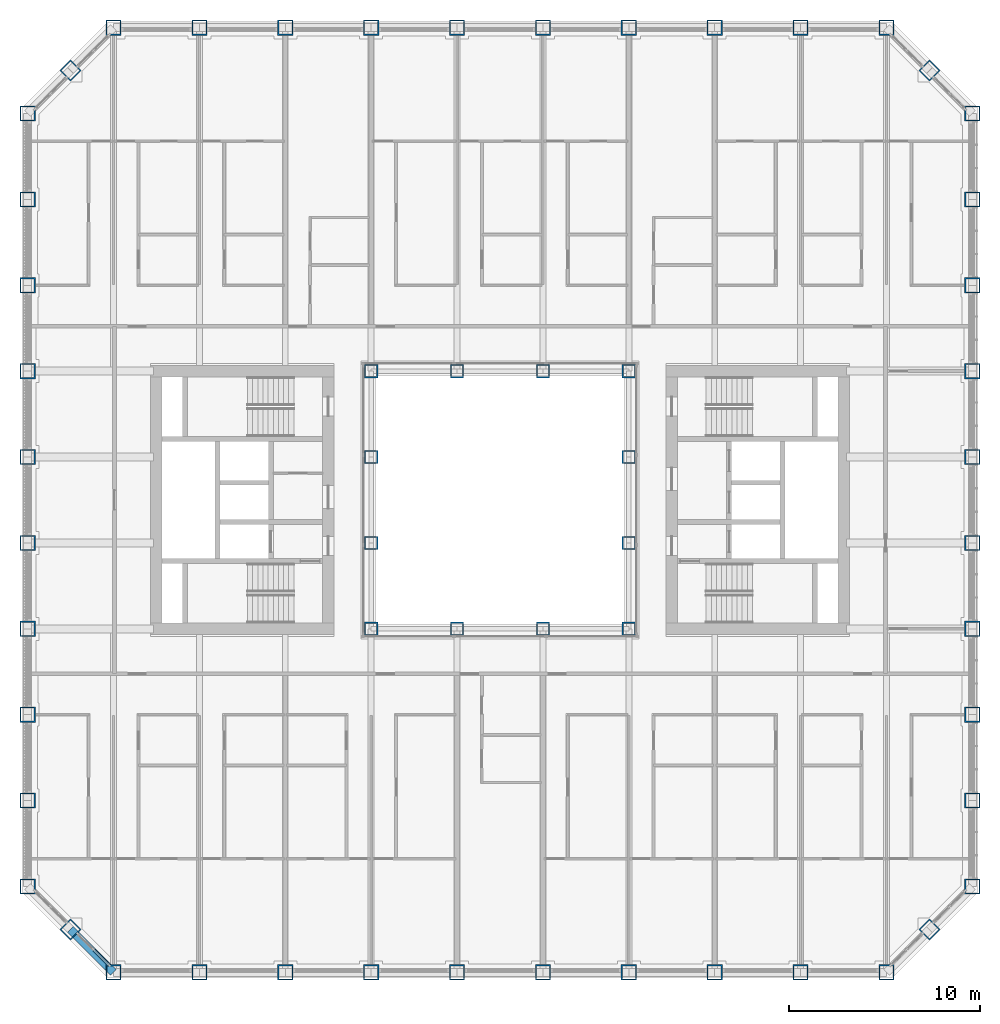
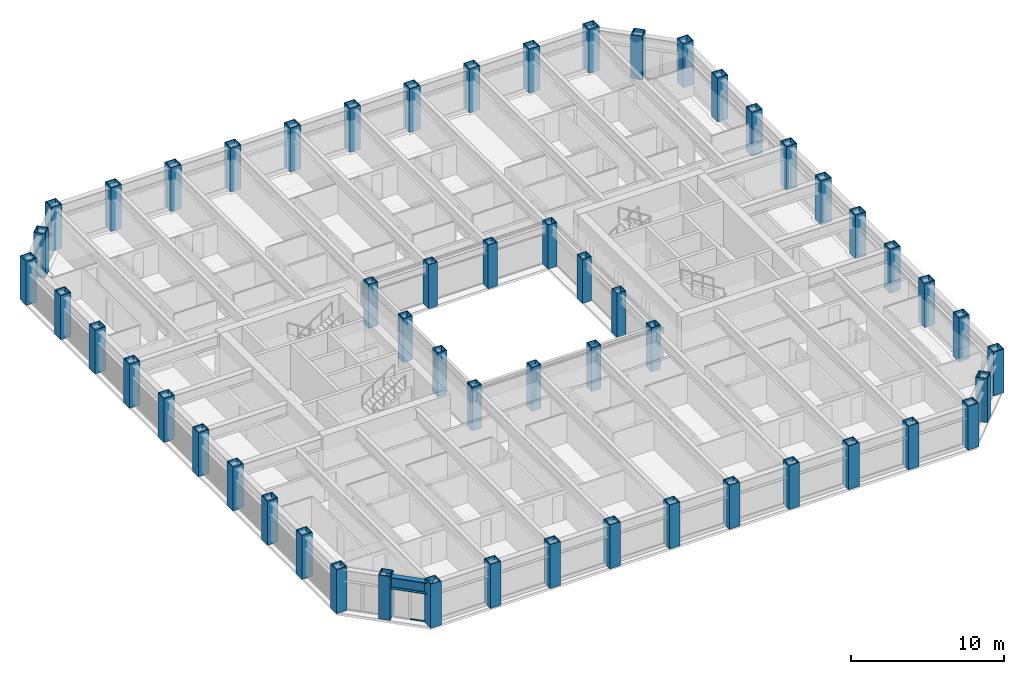
# One storey, part 1 of 20: 56 columns, 2 members, 1 beam, 1 element without a shape of its own.
"""IFC4 building model written with IfcOpenShell, lengths in metres."""

import ifcopenshell
import ifcopenshell.guid

model = None  # the IFC model being written
_history = None  # IfcOwnerHistory: only IFC2X3 demands one
_inside = {}  # id of a spatial element -> (the spatial element, [elements in it])
_under = {}  # id of a project, library or spatial element -> (it, [spatial elements below it])
_declared = {}  # id of a project -> (the project, [libraries it declares])
_typed = {}  # id of a type object -> (the type object, [elements of that type])
_made_of = {}  # id of a material, layer set ... -> (it, [elements and type objects made of it])


def new_model(schema):
    """Start an empty IFC model of exactly this schema.

    Asked for "IFC4X3", IfcOpenShell would pick the latest addendum, in which some entities
    have other attributes; the version numbers below select the first issue.
    IFC2X3 requires an IfcOwnerHistory on every rooted entity: one is made here for all.
    """
    global model, _history
    if schema == "IFC4X3":
        model = ifcopenshell.file(schema_version=(4, 3, 0, 0))
    else:
        model = ifcopenshell.file(schema=schema)
    _inside.clear()
    _under.clear()
    _declared.clear()
    _typed.clear()
    _made_of.clear()
    _history = None
    if model.schema == "IFC2X3":
        org = make("IfcOrganization", Name="unknown")
        user = make(
            "IfcPersonAndOrganization",
            ThePerson=make("IfcPerson", FamilyName="unknown"),
            TheOrganization=org,
        )
        app = make(
            "IfcApplication",
            ApplicationDeveloper=org,
            Version="unknown",
            ApplicationFullName="unknown",
            ApplicationIdentifier="unknown",
        )
        _history = make(
            "IfcOwnerHistory",
            OwningUser=user,
            OwningApplication=app,
            ChangeAction="ADDED",
            CreationDate=0,
        )
    return model


def make(cls, **values):
    """One entity of the class cls with the attributes given. An attribute that is None is left unset."""
    return model.create_entity(
        cls, **{name: value for name, value in values.items() if value is not None}
    )


def rooted(cls, **values):
    """An entity with a GlobalId (a new one), such as an element, a storey or a relation."""
    return make(cls, GlobalId=ifcopenshell.guid.new(), OwnerHistory=_history, **values)


def si_unit(unit_type, name, prefix=None):
    """IfcSIUnit, for example si_unit("LENGTHUNIT", "METRE", prefix="MILLI")."""
    return make("IfcSIUnit", UnitType=unit_type, Prefix=prefix, Name=name)


def assignment(units):
    """IfcUnitAssignment: the units of a project."""
    return None if units is None else make("IfcUnitAssignment", Units=units)


def point(xyz):
    """IfcCartesianPoint."""
    return None if xyz is None else make("IfcCartesianPoint", Coordinates=xyz)


def direction(xyz):
    """IfcDirection."""
    return None if xyz is None else make("IfcDirection", DirectionRatios=xyz)


def frame(location, z_axis=None, x_axis=None):
    """IfcAxis2Placement3D, a coordinate frame: its origin and axes. An axis left out is left unset."""
    return make(
        "IfcAxis2Placement3D",
        Location=point(location),
        Axis=direction(z_axis),
        RefDirection=direction(x_axis),
    )


def frame_2d(location, x_axis=None):
    """IfcAxis2Placement2D, a coordinate frame in the plane: its origin and x axis."""
    return make(
        "IfcAxis2Placement2D", Location=point(location), RefDirection=direction(x_axis)
    )


def origin():
    """The frame at (0, 0, 0) with its axes left unset."""
    return frame((0.0, 0.0, 0.0))


def origin_2d():
    """The frame at (0, 0) in the plane with its x axis left unset."""
    return frame_2d((0.0, 0.0))


def place(relative_to, where):
    """IfcLocalPlacement: puts the frame where relative to a parent placement (None: the world)."""
    return make(
        "IfcLocalPlacement", PlacementRelTo=relative_to, RelativePlacement=where
    )


def context(
    kind, dimensions, precision=None, world=None, true_north=None, identifier=None
):
    """IfcGeometricRepresentationContext, for example the 3D "Model" context."""
    return make(
        "IfcGeometricRepresentationContext",
        ContextIdentifier=identifier,
        ContextType=kind,
        CoordinateSpaceDimension=dimensions,
        Precision=precision,
        WorldCoordinateSystem=world,
        TrueNorth=true_north,
    )


def subcontext(parent, identifier, kind, view, scale=None):
    """IfcGeometricRepresentationSubContext, for example "Body" below "Model"."""
    return make(
        "IfcGeometricRepresentationSubContext",
        ContextIdentifier=identifier,
        ContextType=kind,
        ParentContext=parent,
        TargetScale=scale,
        TargetView=view,
    )


def project(units=None, contexts=None):
    """IfcProject with its units and contexts."""
    return rooted(
        "IfcProject",
        Name="project",
        RepresentationContexts=contexts,
        UnitsInContext=assignment(units),
    )


def spatial(cls, under=None, at=None, **own):
    """A site, building, storey or space (cls), placed at a placement, below another one or the project."""
    s = rooted(cls, ObjectPlacement=at, **own)
    if under is not None:
        _under.setdefault(under.id(), (under, []))[1].append(s)
    return s


def profile(cls, at=None, kind="AREA", **sizes):
    """A parametric profile (cls). Its sizes go by their IFC names, for example OverallWidth=200.0."""
    return make(cls, ProfileType=kind, Position=at, **sizes)


def rectangle(**sizes):
    """IfcRectangleProfileDef."""
    return profile("IfcRectangleProfileDef", **sizes)


def hollow_rectangle(**sizes):
    """IfcRectangleHollowProfileDef."""
    return profile("IfcRectangleHollowProfileDef", **sizes)


def i_section(**sizes):
    """IfcIShapeProfileDef."""
    return profile("IfcIShapeProfileDef", **sizes)


def extrude(swept, where, along, depth):
    """IfcExtrudedAreaSolid: the profile swept, set in the frame where, extruded along a direction by depth."""
    return make(
        "IfcExtrudedAreaSolid",
        SweptArea=swept,
        Position=where,
        ExtrudedDirection=direction(along),
        Depth=depth,
    )


def shape(context_of_items, identifier, shape_type, items):
    """IfcShapeRepresentation: the items that make up one representation, for example the "Body"."""
    return make(
        "IfcShapeRepresentation",
        ContextOfItems=context_of_items,
        RepresentationIdentifier=identifier,
        RepresentationType=shape_type,
        Items=items,
    )


def material(Name=None, Category=None):
    """IfcMaterial."""
    return make("IfcMaterial", Name=Name, Category=Category)


def material_profile(
    of_material, cross_section, Name=None, Category=None, Priority=None
):
    """IfcMaterialProfile: a cross section and its material."""
    return make(
        "IfcMaterialProfile",
        Name=Name,
        Material=of_material,
        Profile=cross_section,
        Priority=Priority,
        Category=Category,
    )


def profile_set(profiles, Name=None, composite=None):
    """IfcMaterialProfileSet."""
    return make(
        "IfcMaterialProfileSet",
        Name=Name,
        MaterialProfiles=profiles,
        CompositeProfile=composite,
    )


def made_of(thing, what):
    """Note that an element or type object is made of a material, layer set ...; save() writes the relation."""
    if what is not None:
        _made_of.setdefault(what.id(), (what, []))[1].append(thing)
    return thing


def type_object(cls, material=None, **own):
    """A type object (cls), such as IfcWallType, which elements share."""
    return made_of(rooted(cls, **own), material)


def element(
    cls,
    number,
    at=None,
    inside=None,
    cuts=None,
    type_object=None,
    material=None,
    context=None,
    identifier="Body",
    shape_type=None,
    held_by="IfcProductDefinitionShape",
    body=None,
    shapes=None,
    **own,
):
    """One element of the class cls, such as IfcWall. Its Tag is "e" and its number.

    at: its placement. inside: the storey or other place that contains it. cuts: it is an
    opening in that element (IfcRelVoidsElement). A single representation is given by context,
    identifier, shape_type and body (its items); several are given by shapes. held_by: the class
    of the entity that holds the representations. save() writes the other relations.
    """
    e = rooted(cls, Tag="e%d" % number, ObjectPlacement=at, **own)
    if body is not None:
        shapes = [shape(context, identifier, shape_type, body)]
    if shapes is not None:
        e.Representation = make(held_by, Representations=shapes)
    if inside is not None:
        _inside.setdefault(inside.id(), (inside, []))[1].append(e)
    if cuts is not None:
        rooted(
            "IfcRelVoidsElement", RelatingBuildingElement=cuts, RelatedOpeningElement=e
        )
    if type_object is not None:
        _typed.setdefault(type_object.id(), (type_object, []))[1].append(e)
    return made_of(e, material)


def aggregate(whole, parts):
    """IfcRelAggregates: a whole, such as a stair, and the parts it consists of."""
    return rooted("IfcRelAggregates", RelatingObject=whole, RelatedObjects=parts)


def save(model, path):
    """Write the relations noted so far, then the file.

    IfcRelAggregates (storeys below a building ...), IfcRelContainedInSpatialStructure (elements
    in a storey), IfcRelDefinesByType, IfcRelAssociatesMaterial and IfcRelDeclares: one each for
    every whole, place, type object, material and project.
    """
    for whole, parts in _under.values():
        aggregate(whole, parts)
    for where, things in _inside.values():
        rooted(
            "IfcRelContainedInSpatialStructure",
            RelatedElements=things,
            RelatingStructure=where,
        )
    for kind, things in _typed.values():
        rooted("IfcRelDefinesByType", RelatedObjects=things, RelatingType=kind)
    for what, things in _made_of.values():
        rooted("IfcRelAssociatesMaterial", RelatedObjects=things, RelatingMaterial=what)
    for by, libraries in _declared.values():
        rooted("IfcRelDeclares", RelatingContext=by, RelatedDefinitions=libraries)
    model.write(path)


model = new_model("IFC4")

# Units and contexts
model_context = context("Model", 3, precision=1e-05, world=origin(), true_north=direction((0.0, 1.0)))
body_context = subcontext(model_context, "Body", "Model", "MODEL_VIEW")
ifc_project = project(units=[si_unit("LENGTHUNIT", "METRE"), si_unit("AREAUNIT", "SQUARE_METRE"), si_unit("VOLUMEUNIT", "CUBIC_METRE"), si_unit("PLANEANGLEUNIT", "RADIAN"), si_unit("MASSUNIT", "GRAM", prefix="KILO")], contexts=[model_context])

# Site, building, storey
site_placement = place(None, origin())
site = spatial("IfcSite", under=ifc_project, at=site_placement, CompositionType="ELEMENT")
building_placement = place(site_placement, origin())
building = spatial("IfcBuilding", under=site, at=building_placement, Name="Msasa Ring Tower", CompositionType="ELEMENT")
storey_placement = place(building_placement, frame((0.0, 0.0, 65.0)))
storey = spatial("IfcBuildingStorey", under=building, at=storey_placement, Name="L16", CompositionType="ELEMENT", Elevation=65.0)

# Columns
ifc_material_1 = material(Name="Steel S355", Category="steel")
ifc_material_profile_1 = material_profile(ifc_material_1, hollow_rectangle(XDim=0.699951171875, YDim=0.699951171875, WallThickness=0.06005859375, at=origin_2d()), Name="BOX 700x700x60")
ifc_profile_set_1 = profile_set([ifc_material_profile_1], Name="Steel S355")
column_type_1 = type_object("IfcColumnType", Name="IC2 BOX 700x700x60", PredefinedType="COLUMN", material=ifc_profile_set_1)
for number, where, z_axis, x_axis, name in (
    (1, (-6.75, -6.75, 0.0), (0.0, 0.0, 1.0), (1.0, 0.0, 0.0), "Inner ring column IR-6.75-6.75 L16"),
    (2, (-6.75, -2.25, 0.0), (0.0, 0.0, 1.0), (1.0, 0.0, 0.0), "Inner ring column IR-6.75-2.25 L16"),
    (3, (-6.75, 2.25, 0.0), (0.0, 0.0, 1.0), (1.0, 0.0, 0.0), "Inner ring column IR-6.75+2.25 L16"),
    (4, (-6.75, 6.75, 0.0), (0.0, 0.0, 1.0), (1.0, 0.0, 0.0), "Inner ring column IR-6.75+6.75 L16"),
    (5, (-2.25, -6.75, 0.0), (0.0, 0.0, 1.0), (1.0, 0.0, 0.0), "Inner ring column IR-2.25-6.75 L16"),
    (6, (-2.25, 6.75, 0.0), (0.0, 0.0, 1.0), (1.0, 0.0, 0.0), "Inner ring column IR-2.25+6.75 L16"),
    (7, (2.25, -6.75, 0.0), (0.0, 0.0, 1.0), (1.0, 0.0, 0.0), "Inner ring column IR+2.25-6.75 L16"),
    (8, (2.25, 6.75, 0.0), (0.0, 0.0, 1.0), (1.0, 0.0, 0.0), "Inner ring column IR+2.25+6.75 L16"),
    (9, (6.75, -6.75, 0.0), (0.0, 0.0, 1.0), (1.0, 0.0, 0.0), "Inner ring column IR+6.75-6.75 L16"),
    (10, (6.75, -2.25, 0.0), (0.0, 0.0, 1.0), (1.0, 0.0, 0.0), "Inner ring column IR+6.75-2.25 L16"),
    (11, (6.75, 2.25, 0.0), (0.0, 0.0, 1.0), (1.0, 0.0, 0.0), "Inner ring column IR+6.75+2.25 L16"),
    (12, (6.75, 6.75, 0.0), (0.0, 0.0, 1.0), (1.0, 0.0, 0.0), "Inner ring column IR+6.75+6.75 L16"),
):
    element("IfcColumn", number, at=place(storey_placement, frame(where, z_axis=z_axis, x_axis=x_axis)), inside=storey, type_object=column_type_1, Name=name, PredefinedType="COLUMN", context=body_context, shape_type="SweptSolid", body=[
        extrude(hollow_rectangle(XDim=0.699951171875, YDim=0.699951171875, WallThickness=0.06005859375, at=origin_2d()), origin(), (0.0, 0.0, 1.0), 3.5),
    ])
ifc_material_2 = material(Name="Steel S355", Category="steel")
ifc_material_profile_2 = material_profile(ifc_material_2, hollow_rectangle(XDim=0.800048828125, YDim=0.800048828125, WallThickness=0.06005859375, at=origin_2d()), Name="BOX 800x800x60")
ifc_profile_set_2 = profile_set([ifc_material_profile_2], Name="Steel S355")
column_type_2 = type_object("IfcColumnType", Name="TC3 BOX 800x800x60", PredefinedType="COLUMN", material=ifc_profile_set_2)
for number, where, z_axis, x_axis, name in (
    (13, (-20.25, -24.75, 0.0), (0.0, 0.0, 1.0), (0.0, 1.0, 0.0), "Tube column S-20.25 L16"),
    (14, (-20.25, 24.75, 0.0), (0.0, 0.0, 1.0), (0.0, 1.0, 0.0), "Tube column N-20.25 L16"),
    (15, (24.75, -20.25, 0.0), (0.0, 0.0, 1.0), (1.0, 0.0, 0.0), "Tube column E-20.25 L16"),
    (16, (-24.75, -20.25, 0.0), (0.0, 0.0, 1.0), (1.0, 0.0, 0.0), "Tube column W-20.25 L16"),
    (17, (-15.75, -24.75, 0.0), (0.0, 0.0, 1.0), (0.0, 1.0, 0.0), "Tube column S-15.75 L16"),
    (18, (-15.75, 24.75, 0.0), (0.0, 0.0, 1.0), (0.0, 1.0, 0.0), "Tube column N-15.75 L16"),
    (19, (24.75, -15.75, 0.0), (0.0, 0.0, 1.0), (1.0, 0.0, 0.0), "Tube column E-15.75 L16"),
    (20, (-24.75, -15.75, 0.0), (0.0, 0.0, 1.0), (1.0, 0.0, 0.0), "Tube column W-15.75 L16"),
    (21, (-11.25, -24.75, 0.0), (0.0, 0.0, 1.0), (0.0, 1.0, 0.0), "Tube column S-11.25 L16"),
    (22, (-11.25, 24.75, 0.0), (0.0, 0.0, 1.0), (0.0, 1.0, 0.0), "Tube column N-11.25 L16"),
    (23, (24.75, -11.25, 0.0), (0.0, 0.0, 1.0), (1.0, 0.0, 0.0), "Tube column E-11.25 L16"),
    (24, (-24.75, -11.25, 0.0), (0.0, 0.0, 1.0), (1.0, 0.0, 0.0), "Tube column W-11.25 L16"),
    (25, (-6.75, -24.75, 0.0), (0.0, 0.0, 1.0), (0.0, 1.0, 0.0), "Tube column S-6.75 L16"),
    (26, (-6.75, 24.75, 0.0), (0.0, 0.0, 1.0), (0.0, 1.0, 0.0), "Tube column N-6.75 L16"),
    (27, (24.75, -6.75, 0.0), (0.0, 0.0, 1.0), (1.0, 0.0, 0.0), "Tube column E-6.75 L16"),
    (28, (-24.75, -6.75, 0.0), (0.0, 0.0, 1.0), (1.0, 0.0, 0.0), "Tube column W-6.75 L16"),
    (29, (-2.25, -24.75, 0.0), (0.0, 0.0, 1.0), (0.0, 1.0, 0.0), "Tube column S-2.25 L16"),
    (30, (-2.25, 24.75, 0.0), (0.0, 0.0, 1.0), (0.0, 1.0, 0.0), "Tube column N-2.25 L16"),
    (31, (24.75, -2.25, 0.0), (0.0, 0.0, 1.0), (1.0, 0.0, 0.0), "Tube column E-2.25 L16"),
    (32, (-24.75, -2.25, 0.0), (0.0, 0.0, 1.0), (1.0, 0.0, 0.0), "Tube column W-2.25 L16"),
    (33, (2.25, -24.75, 0.0), (0.0, 0.0, 1.0), (0.0, 1.0, 0.0), "Tube column S+2.25 L16"),
    (34, (2.25, 24.75, 0.0), (0.0, 0.0, 1.0), (0.0, 1.0, 0.0), "Tube column N+2.25 L16"),
    (35, (24.75, 2.25, 0.0), (0.0, 0.0, 1.0), (1.0, 0.0, 0.0), "Tube column E+2.25 L16"),
    (36, (-24.75, 2.25, 0.0), (0.0, 0.0, 1.0), (1.0, 0.0, 0.0), "Tube column W+2.25 L16"),
    (37, (6.75, -24.75, 0.0), (0.0, 0.0, 1.0), (0.0, 1.0, 0.0), "Tube column S+6.75 L16"),
    (38, (6.75, 24.75, 0.0), (0.0, 0.0, 1.0), (0.0, 1.0, 0.0), "Tube column N+6.75 L16"),
    (39, (24.75, 6.75, 0.0), (0.0, 0.0, 1.0), (1.0, 0.0, 0.0), "Tube column E+6.75 L16"),
    (40, (-24.75, 6.75, 0.0), (0.0, 0.0, 1.0), (1.0, 0.0, 0.0), "Tube column W+6.75 L16"),
    (41, (11.25, -24.75, 0.0), (0.0, 0.0, 1.0), (0.0, 1.0, 0.0), "Tube column S+11.25 L16"),
    (42, (11.25, 24.75, 0.0), (0.0, 0.0, 1.0), (0.0, 1.0, 0.0), "Tube column N+11.25 L16"),
    (43, (24.75, 11.25, 0.0), (0.0, 0.0, 1.0), (1.0, 0.0, 0.0), "Tube column E+11.25 L16"),
    (44, (-24.75, 11.25, 0.0), (0.0, 0.0, 1.0), (1.0, 0.0, 0.0), "Tube column W+11.25 L16"),
    (45, (15.75, -24.75, 0.0), (0.0, 0.0, 1.0), (0.0, 1.0, 0.0), "Tube column S+15.75 L16"),
    (46, (15.75, 24.75, 0.0), (0.0, 0.0, 1.0), (0.0, 1.0, 0.0), "Tube column N+15.75 L16"),
    (47, (24.75, 15.75, 0.0), (0.0, 0.0, 1.0), (1.0, 0.0, 0.0), "Tube column E+15.75 L16"),
    (48, (-24.75, 15.75, 0.0), (0.0, 0.0, 1.0), (1.0, 0.0, 0.0), "Tube column W+15.75 L16"),
    (49, (20.25, -24.75, 0.0), (0.0, 0.0, 1.0), (0.0, 1.0, 0.0), "Tube column S+20.25 L16"),
    (50, (20.25, 24.75, 0.0), (0.0, 0.0, 1.0), (0.0, 1.0, 0.0), "Tube column N+20.25 L16"),
    (51, (24.75, 20.25, 0.0), (0.0, 0.0, 1.0), (1.0, 0.0, 0.0), "Tube column E+20.25 L16"),
    (52, (-24.75, 20.25, 0.0), (0.0, 0.0, 1.0), (1.0, 0.0, 0.0), "Tube column W+20.25 L16"),
    (53, (22.5, -22.5, 0.0), (0.0, 0.0, 1.0), (0.707106781187, -0.707106781187, 0.0), "Tube column SE L16"),
    (54, (22.5, 22.5, 0.0), (0.0, 0.0, 1.0), (0.707106781187, 0.707106781187, 0.0), "Tube column NE L16"),
    (55, (-22.5, 22.5, 0.0), (0.0, 0.0, 1.0), (0.707106781187, -0.707106781187, 0.0), "Tube column NW L16"),
    (56, (-22.5, -22.5, 0.0), (0.0, 0.0, 1.0), (0.707106781187, 0.707106781187, 0.0), "Tube column SW L16"),
):
    element("IfcColumn", number, at=place(storey_placement, frame(where, z_axis=z_axis, x_axis=x_axis)), inside=storey, type_object=column_type_2, Name=name, PredefinedType="COLUMN", context=body_context, shape_type="SweptSolid", body=[
        extrude(hollow_rectangle(XDim=0.800048828125, YDim=0.800048828125, WallThickness=0.06005859375, at=origin_2d()), origin(), (0.0, 0.0, 1.0), 3.5),
    ])

# Curtain wall, members
ifc_material_3 = material(Name="Aluminium curtain wall with clear glass", Category="aluminium")
curtain_wall_type = type_object("IfcCurtainWallType", Name="CW-C CHAMFER CORNER CURTAIN WALL", PredefinedType="NOTDEFINED", material=ifc_material_3)
curtain_wall_placement = place(storey_placement, origin())
curtain_wall = element("IfcCurtainWall", 57, at=curtain_wall_placement, inside=storey, type_object=curtain_wall_type, Name="Chamfer corner curtain wall SW L16", PredefinedType="NOTDEFINED")
ifc_material_4 = material(Name="Aluminium transom", Category="aluminium")
ifc_material_profile_3 = material_profile(ifc_material_4, rectangle(XDim=0.139892578125, YDim=0.06494140625, at=origin_2d()), Name="AL 65x140")
ifc_profile_set_3 = profile_set([ifc_material_profile_3], Name="Aluminium transom")
member_type = type_object("IfcMemberType", Name="CW-C TRANSOM 65x140", PredefinedType="USERDEFINED", material=ifc_profile_set_3)
member_1_placement = place(storey_placement, frame((-21.28125, -23.577392578125, 0.032470703125), z_axis=(0.707106781187, -0.707106781187, 0.0), x_axis=(0.707106781187, 0.707106781187, 0.0)))
member_1 = element("IfcMember", 58, at=member_1_placement, type_object=member_type, Name="CW-C transom 2.1", ObjectType="TRANSOM", PredefinedType="USERDEFINED", context=body_context, shape_type="SweptSolid", body=[
    extrude(rectangle(XDim=0.139892578125, YDim=0.06494140625, at=origin_2d()), origin(), (0.0, 0.0, 1.0), 1.08837890625),
])
member_2_placement = place(storey_placement, frame((-21.28125, -23.577392578125, 2.346435546875), z_axis=(0.707106781187, -0.707106781187, 0.0), x_axis=(0.707106781187, 0.707106781187, 0.0)))
member_2 = element("IfcMember", 59, at=member_2_placement, type_object=member_type, Name="CW-C transom 2.2", ObjectType="TRANSOM", PredefinedType="USERDEFINED", context=body_context, shape_type="SweptSolid", body=[
    extrude(rectangle(XDim=0.139892578125, YDim=0.06494140625, at=origin_2d()), origin(), (0.0, 0.0, 1.0), 1.08837890625),
])
aggregate(curtain_wall, [member_1, member_2])

# Beam
ifc_material_5 = material(Name="Steel S355", Category="steel")
ifc_material_profile_4 = material_profile(ifc_material_5, i_section(OverallWidth=0.42041015625, OverallDepth=0.9208984375, WebThickness=0.021484375, FlangeThickness=0.03662109375, FilletRadius=0.024169921875, at=origin_2d()), Name="UB 914x419x388")
ifc_profile_set_4 = profile_set([ifc_material_profile_4], Name="Steel S355")
beam_type = type_object("IfcBeamType", Name="SB1 UB 914x419x388", PredefinedType="SPANDREL", material=ifc_profile_set_4)
beam_placement = place(storey_placement, frame((-22.5, -22.5, 2.839599609375), z_axis=(0.707106781187, -0.707106781187, 0.0), x_axis=(0.707106781187, 0.707106781187, 0.0)))
element("IfcBeam", 60, at=beam_placement, inside=storey, type_object=beam_type, Name="Spandrel SW to S-20.25 under L17", PredefinedType="SPANDREL", context=body_context, shape_type="SweptSolid", body=[
    extrude(i_section(OverallWidth=0.42041015625, OverallDepth=0.9208984375, WebThickness=0.021484375, FlangeThickness=0.03662109375, FilletRadius=0.024169921875, at=origin_2d()), origin(), (0.0, 0.0, 1.0), 3.181884765625),
])

save(model, "model.ifc")
